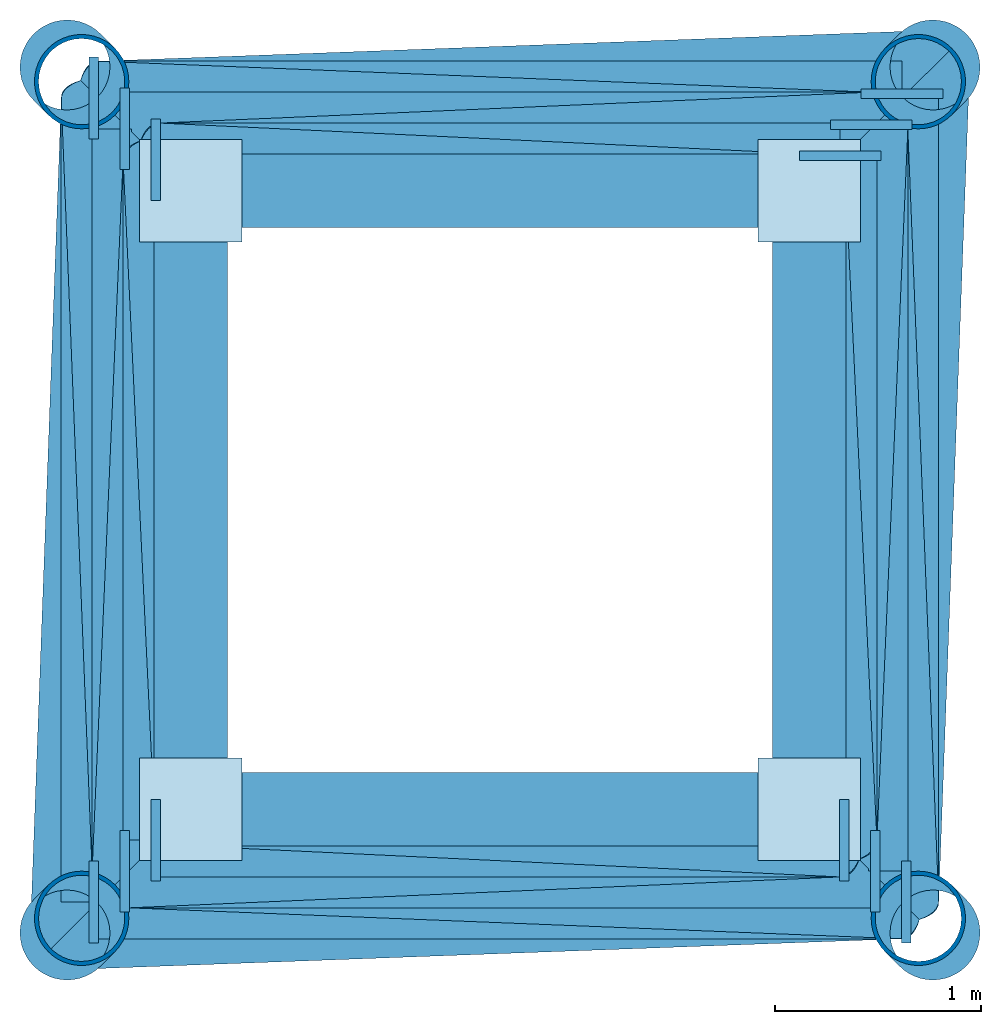
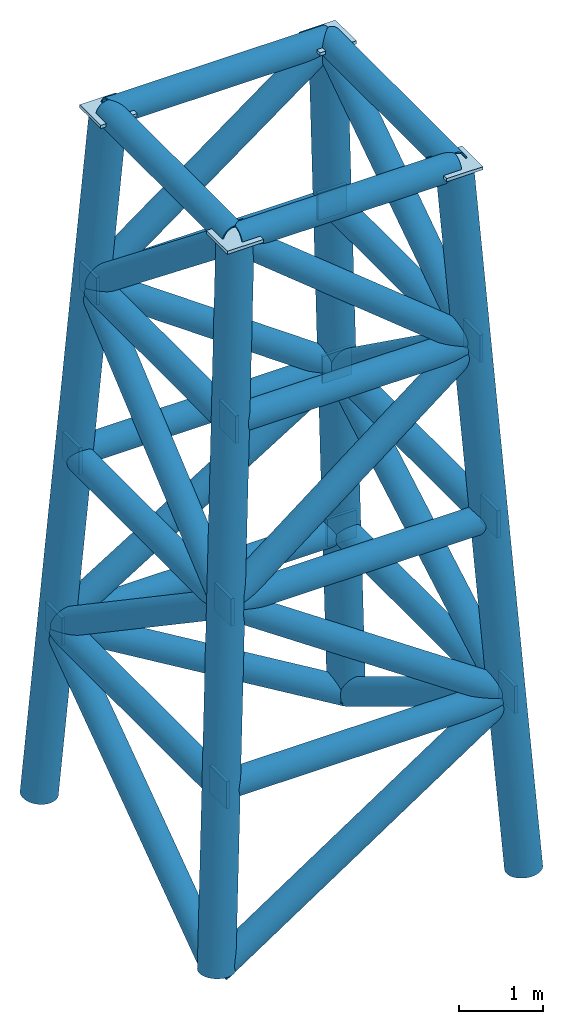
# One storey: 16 beams, 16 members, 16 plates, 4 columns.
"""IFC4 building model written with IfcOpenShell, lengths in metres."""

from ifc_helpers import new_model, si_unit, direction, frame, origin, origin_2d, place, context, subcontext, project, spatial, rectangle, hollow_circle, extrude, material, layer, layer_set, material_profile, profile_set, type_object, element, save


model = new_model("IFC4")

# Units and contexts
model_context = context("Model", 3, precision=1e-05, world=origin(), true_north=direction((0.0, 1.0)))
body_context = subcontext(model_context, "Body", "Model", "MODEL_VIEW")
ifc_project = project(units=[si_unit("LENGTHUNIT", "METRE"), si_unit("AREAUNIT", "SQUARE_METRE"), si_unit("VOLUMEUNIT", "CUBIC_METRE"), si_unit("PLANEANGLEUNIT", "RADIAN"), si_unit("MASSUNIT", "GRAM", prefix="KILO")], contexts=[model_context])

# Site, building, storey
site_placement = place(None, origin())
site = spatial("IfcSite", under=ifc_project, at=site_placement, CompositionType="ELEMENT")
building_placement = place(site_placement, origin())
building = spatial("IfcBuilding", under=site, at=building_placement, Name="Cobrela Telecom Tower", CompositionType="ELEMENT")
storey_placement = place(building_placement, frame((0.0, 0.0, 315.199951171875)))
storey = spatial("IfcBuildingStorey", under=building, at=storey_placement, Name="RF-M1", CompositionType="ELEMENT", Elevation=315.199951171875)

# Columns
ifc_material = material(Name="Steel ASTM A572 Grade 50", Category="steel")
ifc_material_profile_1 = material_profile(ifc_material, hollow_circle(Radius=0.228515625, WallThickness=0.02001953125, at=origin_2d()), Name="CHS 457x20")
ifc_profile_set_1 = profile_set([ifc_material_profile_1], Name="Steel ASTM A572 Grade 50")
column_type = type_object("IfcColumnType", Name="COL-MAST-HI", PredefinedType="COLUMN", material=ifc_profile_set_1)
for number, where, z_axis, x_axis, name in (
    (1, (5.10009765625, 19.5, 0.0), (0.059770580836, 0.059794907486, 0.99641961377), (-0.707250633645, 0.706962899457, 0.0), "RF-M1 Broadcast Lattice Mast Leg 1"),
    (2, (9.300048828125, 19.5, 0.0), (-0.059794820526, 0.059794820526, 0.996418164666), (-0.707106781187, -0.707106781187, 0.0), "RF-M1 Broadcast Lattice Mast Leg 2"),
    (3, (9.300048828125, 23.699951171875, 0.0), (-0.059794907486, -0.059770580836, 0.99641961377), (0.706962899457, -0.707250633645, 0.0), "RF-M1 Broadcast Lattice Mast Leg 3"),
    (4, (5.10009765625, 23.699951171875, 0.0), (0.059770667761, -0.059770667761, 0.99642106288), (0.707106781187, 0.707106781187, 0.0), "RF-M1 Broadcast Lattice Mast Leg 4"),
):
    element("IfcColumn", number, at=place(storey_placement, frame(where, z_axis=z_axis, x_axis=x_axis)), inside=storey, type_object=column_type, Name=name, PredefinedType="COLUMN", context=body_context, shape_type="SweptSolid", body=[
        extrude(hollow_circle(Radius=0.228515625, WallThickness=0.02001953125, at=origin_2d()), origin(), (0.0, 0.0, 1.0), 10.035888671875),
    ])

# Beams
ifc_material_profile_2 = material_profile(ifc_material, hollow_circle(Radius=0.177978515625, WallThickness=0.01611328125, at=origin_2d()), Name="CHS 356x16")
ifc_profile_set_2 = profile_set([ifc_material_profile_2], Name="Steel ASTM A572 Grade 50")
beam_type = type_object("IfcBeamType", Name="BM-MAST-RING", PredefinedType="BEAM", material=ifc_profile_set_2)
beam_1_placement = place(storey_placement, frame((5.25, 19.64990234375, 2.5), z_axis=(1.0, 0.0, 0.0), x_axis=(0.0, 1.0, 0.0)))
element("IfcBeam", 5, at=beam_1_placement, inside=storey, type_object=beam_type, Name="RF-M1 Broadcast Lattice Mast Ring 1.1", PredefinedType="BEAM", context=body_context, shape_type="SweptSolid", body=[
    extrude(hollow_circle(Radius=0.177978515625, WallThickness=0.01611328125, at=origin_2d()), origin(), (0.0, 0.0, 1.0), 3.89990234375),
])
beam_2_placement = place(storey_placement, frame((9.14990234375, 19.64990234375, 2.5), z_axis=(0.0, 1.0, 0.0), x_axis=(-1.0, 0.0, 0.0)))
element("IfcBeam", 6, at=beam_2_placement, inside=storey, type_object=beam_type, Name="RF-M1 Broadcast Lattice Mast Ring 1.2", PredefinedType="BEAM", context=body_context, shape_type="SweptSolid", body=[
    extrude(hollow_circle(Radius=0.177978515625, WallThickness=0.01611328125, at=origin_2d()), origin(), (0.0, 0.0, 1.0), 3.900146484375),
])
beam_3_placement = place(storey_placement, frame((9.14990234375, 23.550048828125, 2.5), z_axis=(-1.0, 0.0, 0.0), x_axis=(0.0, -1.0, 0.0)))
element("IfcBeam", 7, at=beam_3_placement, inside=storey, type_object=beam_type, Name="RF-M1 Broadcast Lattice Mast Ring 1.3", PredefinedType="BEAM", context=body_context, shape_type="SweptSolid", body=[
    extrude(hollow_circle(Radius=0.177978515625, WallThickness=0.01611328125, at=origin_2d()), origin(), (0.0, 0.0, 1.0), 3.89990234375),
])
beam_4_placement = place(storey_placement, frame((5.25, 23.550048828125, 2.5), z_axis=(0.0, -1.0, 0.0), x_axis=(1.0, 0.0, 0.0)))
element("IfcBeam", 8, at=beam_4_placement, inside=storey, type_object=beam_type, Name="RF-M1 Broadcast Lattice Mast Ring 1.4", PredefinedType="BEAM", context=body_context, shape_type="SweptSolid", body=[
    extrude(hollow_circle(Radius=0.177978515625, WallThickness=0.01611328125, at=origin_2d()), origin(), (0.0, 0.0, 1.0), 3.900146484375),
])
beam_5_placement = place(storey_placement, frame((5.39990234375, 19.800048828125, 5.0), z_axis=(1.0, 0.0, 0.0), x_axis=(0.0, 1.0, 0.0)))
element("IfcBeam", 9, at=beam_5_placement, inside=storey, type_object=beam_type, Name="RF-M1 Broadcast Lattice Mast Ring 2.1", PredefinedType="BEAM", context=body_context, shape_type="SweptSolid", body=[
    extrude(hollow_circle(Radius=0.177978515625, WallThickness=0.01611328125, at=origin_2d()), origin(), (0.0, 0.0, 1.0), 3.60009765625),
])
beam_6_placement = place(storey_placement, frame((9.0, 19.800048828125, 5.0), z_axis=(0.0, 1.0, 0.0), x_axis=(-1.0, 0.0, 0.0)))
element("IfcBeam", 10, at=beam_6_placement, inside=storey, type_object=beam_type, Name="RF-M1 Broadcast Lattice Mast Ring 2.2", PredefinedType="BEAM", context=body_context, shape_type="SweptSolid", body=[
    extrude(hollow_circle(Radius=0.177978515625, WallThickness=0.01611328125, at=origin_2d()), origin(), (0.0, 0.0, 1.0), 3.599853515625),
])
beam_7_placement = place(storey_placement, frame((9.0, 23.39990234375, 5.0), z_axis=(-1.0, 0.0, 0.0), x_axis=(0.0, -1.0, 0.0)))
element("IfcBeam", 11, at=beam_7_placement, inside=storey, type_object=beam_type, Name="RF-M1 Broadcast Lattice Mast Ring 2.3", PredefinedType="BEAM", context=body_context, shape_type="SweptSolid", body=[
    extrude(hollow_circle(Radius=0.177978515625, WallThickness=0.01611328125, at=origin_2d()), origin(), (0.0, 0.0, 1.0), 3.60009765625),
])
beam_8_placement = place(storey_placement, frame((5.39990234375, 23.39990234375, 5.0), z_axis=(0.0, -1.0, 0.0), x_axis=(1.0, 0.0, 0.0)))
element("IfcBeam", 12, at=beam_8_placement, inside=storey, type_object=beam_type, Name="RF-M1 Broadcast Lattice Mast Ring 2.4", PredefinedType="BEAM", context=body_context, shape_type="SweptSolid", body=[
    extrude(hollow_circle(Radius=0.177978515625, WallThickness=0.01611328125, at=origin_2d()), origin(), (0.0, 0.0, 1.0), 3.599853515625),
])
for number, where, z_axis, x_axis, name in (
    (13, (5.550048828125, 19.949951171875, 7.5), (1.0, 0.0, 0.0), (0.0, 1.0, 0.0), "RF-M1 Broadcast Lattice Mast Ring 3.1"),
    (14, (8.85009765625, 19.949951171875, 7.5), (0.0, 1.0, 0.0), (-1.0, 0.0, 0.0), "RF-M1 Broadcast Lattice Mast Ring 3.2"),
    (15, (8.85009765625, 23.25, 7.5), (-1.0, 0.0, 0.0), (0.0, -1.0, 0.0), "RF-M1 Broadcast Lattice Mast Ring 3.3"),
    (16, (5.550048828125, 23.25, 7.5), (0.0, -1.0, 0.0), (1.0, 0.0, 0.0), "RF-M1 Broadcast Lattice Mast Ring 3.4"),
):
    element("IfcBeam", number, at=place(storey_placement, frame(where, z_axis=z_axis, x_axis=x_axis)), inside=storey, type_object=beam_type, Name=name, PredefinedType="BEAM", context=body_context, shape_type="SweptSolid", body=[
        extrude(hollow_circle(Radius=0.177978515625, WallThickness=0.01611328125, at=origin_2d()), origin(), (0.0, 0.0, 1.0), 3.300048828125),
    ])
for number, where, z_axis, x_axis, name in (
    (17, (5.699951171875, 20.10009765625, 10.0), (1.0, 0.0, 0.0), (0.0, 1.0, 0.0), "RF-M1 Broadcast Lattice Mast Ring 4.1"),
    (18, (8.699951171875, 20.10009765625, 10.0), (0.0, 1.0, 0.0), (-1.0, 0.0, 0.0), "RF-M1 Broadcast Lattice Mast Ring 4.2"),
    (19, (8.699951171875, 23.10009765625, 10.0), (-1.0, 0.0, 0.0), (0.0, -1.0, 0.0), "RF-M1 Broadcast Lattice Mast Ring 4.3"),
    (20, (5.699951171875, 23.10009765625, 10.0), (0.0, -1.0, 0.0), (1.0, 0.0, 0.0), "RF-M1 Broadcast Lattice Mast Ring 4.4"),
):
    element("IfcBeam", number, at=place(storey_placement, frame(where, z_axis=z_axis, x_axis=x_axis)), inside=storey, type_object=beam_type, Name=name, PredefinedType="BEAM", context=body_context, shape_type="SweptSolid", body=[
        extrude(hollow_circle(Radius=0.177978515625, WallThickness=0.01611328125, at=origin_2d()), origin(), (0.0, 0.0, 1.0), 3.0),
    ])

# Members
ifc_material_profile_3 = material_profile(ifc_material, hollow_circle(Radius=0.177978515625, WallThickness=0.01611328125, at=origin_2d()), Name="CHS 356x16")
ifc_profile_set_3 = profile_set([ifc_material_profile_3], Name="Steel ASTM A572 Grade 50")
member_type = type_object("IfcMemberType", Name="MBR-MAST-BRC", PredefinedType="BRACE", material=ifc_profile_set_3)
member_1_placement = place(storey_placement, frame((5.10009765625, 19.5, 0.0), z_axis=(0.850503023485, 0.031481122282, 0.525027185947), x_axis=(-0.036989378737, 0.999315658769, 0.0)))
element("IfcMember", 21, at=member_1_placement, inside=storey, type_object=member_type, Name="RF-M1 Broadcast Lattice Mast Brace 1.1", PredefinedType="BRACE", context=body_context, shape_type="SweptSolid", body=[
    extrude(hollow_circle(Radius=0.177978515625, WallThickness=0.01611328125, at=origin_2d()), origin(), (0.0, 0.0, 1.0), 4.76171875),
])
for number, where, z_axis, x_axis, name in (
    (22, (9.300048828125, 23.699951171875, 0.0), (-0.031530968548, -0.850515832911, 0.525003443789), (0.999313512813, -0.037047309083, 0.0), "RF-M1 Broadcast Lattice Mast Brace 1.2"),
    (23, (9.300048828125, 23.699951171875, 0.0), (-0.850517206731, -0.031479749529, 0.525004291815), (0.036987152034, -0.999315741187, 0.0), "RF-M1 Broadcast Lattice Mast Brace 1.3"),
    (24, (5.10009765625, 19.5, 0.0), (0.031479749529, 0.850517206731, 0.525004291815), (-0.999315741187, 0.036987152034, 0.0), "RF-M1 Broadcast Lattice Mast Brace 1.4"),
):
    element("IfcMember", number, at=place(storey_placement, frame(where, z_axis=z_axis, x_axis=x_axis)), inside=storey, type_object=member_type, Name=name, PredefinedType="BRACE", context=body_context, shape_type="SweptSolid", body=[
        extrude(hollow_circle(Radius=0.177978515625, WallThickness=0.01611328125, at=origin_2d()), origin(), (0.0, 0.0, 1.0), 4.761962890625),
    ])
for number, where, z_axis, x_axis, name in (
    (25, (9.14990234375, 19.64990234375, 2.5), (-0.831588949973, 0.033296041942, 0.554392633315), (-0.040007007195, -0.999199399207, 0.0), "RF-M1 Broadcast Lattice Mast Brace 2.1"),
    (26, (9.14990234375, 19.64990234375, 2.5), (-0.033241961911, 0.831590447817, 0.554393631878), (-0.999201997557, -0.039942059017, 0.0), "RF-M1 Broadcast Lattice Mast Brace 2.2"),
    (27, (5.25, 23.550048828125, 2.5), (0.831588949973, -0.033296041942, 0.554392633315), (0.040007007195, 0.999199399207, 0.0), "RF-M1 Broadcast Lattice Mast Brace 2.3"),
    (28, (5.25, 23.550048828125, 2.5), (0.033241961911, -0.831590447817, 0.554393631878), (0.999201997557, 0.039942059017, 0.0), "RF-M1 Broadcast Lattice Mast Brace 2.4"),
):
    element("IfcMember", number, at=place(storey_placement, frame(where, z_axis=z_axis, x_axis=x_axis)), inside=storey, type_object=member_type, Name=name, PredefinedType="BRACE", context=body_context, shape_type="SweptSolid", body=[
        extrude(hollow_circle(Radius=0.177978515625, WallThickness=0.01611328125, at=origin_2d()), origin(), (0.0, 0.0, 1.0), 4.509521484375),
    ])
member_2_placement = place(storey_placement, frame((5.39990234375, 19.800048828125, 5.0), z_axis=(0.809264928976, 0.035160533993, 0.586390664642), x_axis=(-0.043406545424, 0.999057491746, 0.0)))
element("IfcMember", 29, at=member_2_placement, inside=storey, type_object=member_type, Name="RF-M1 Broadcast Lattice Mast Brace 3.1", PredefinedType="BRACE", context=body_context, shape_type="SweptSolid", body=[
    extrude(hollow_circle(Radius=0.177978515625, WallThickness=0.01611328125, at=origin_2d()), origin(), (0.0, 0.0, 1.0), 4.263427734375),
])
for number, where, z_axis, x_axis, name in (
    (30, (9.0, 23.39990234375, 5.0), (-0.03516216347, -0.809245166107, 0.586417840275), (0.999057358534, -0.043409611361, 0.0), "RF-M1 Broadcast Lattice Mast Brace 3.2"),
    (31, (9.0, 23.39990234375, 5.0), (-0.809245166107, -0.03516216347, 0.586417840275), (0.043409611361, -0.999057358534, 0.0), "RF-M1 Broadcast Lattice Mast Brace 3.3"),
    (32, (5.39990234375, 19.800048828125, 5.0), (0.03521935986, 0.809243535252, 0.58641665848), (-0.999054289898, 0.043480177502, 0.0), "RF-M1 Broadcast Lattice Mast Brace 3.4"),
):
    element("IfcMember", number, at=place(storey_placement, frame(where, z_axis=z_axis, x_axis=x_axis)), inside=storey, type_object=member_type, Name=name, PredefinedType="BRACE", context=body_context, shape_type="SweptSolid", body=[
        extrude(hollow_circle(Radius=0.177978515625, WallThickness=0.01611328125, at=origin_2d()), origin(), (0.0, 0.0, 1.0), 4.26318359375),
    ])
for number, where, z_axis, x_axis, name in (
    (33, (8.85009765625, 19.949951171875, 7.5), (-0.782757630394, 0.037308838463, 0.621207326609), (-0.047609285557, -0.998866035026, 0.0), "RF-M1 Broadcast Lattice Mast Brace 4.1"),
    (34, (8.85009765625, 19.949951171875, 7.5), (-0.037308838463, 0.782757630394, 0.621207326609), (-0.998866035026, -0.047609285557, 0.0), "RF-M1 Broadcast Lattice Mast Brace 4.2"),
):
    element("IfcMember", number, at=place(storey_placement, frame(where, z_axis=z_axis, x_axis=x_axis)), inside=storey, type_object=member_type, Name=name, PredefinedType="BRACE", context=body_context, shape_type="SweptSolid", body=[
        extrude(hollow_circle(Radius=0.177978515625, WallThickness=0.01611328125, at=origin_2d()), origin(), (0.0, 0.0, 1.0), 4.0244140625),
    ])
for number, where, z_axis, x_axis, name in (
    (35, (5.550048828125, 23.25, 7.5), (0.78273590415, -0.037250026752, 0.621238231165), (0.047535722886, 0.998869538553, 0.0), "RF-M1 Broadcast Lattice Mast Brace 4.3"),
    (36, (5.550048828125, 23.25, 7.5), (0.037250026752, -0.78273590415, 0.621238231165), (0.998869538553, 0.047535722886, 0.0), "RF-M1 Broadcast Lattice Mast Brace 4.4"),
):
    element("IfcMember", number, at=place(storey_placement, frame(where, z_axis=z_axis, x_axis=x_axis)), inside=storey, type_object=member_type, Name=name, PredefinedType="BRACE", context=body_context, shape_type="SweptSolid", body=[
        extrude(hollow_circle(Radius=0.177978515625, WallThickness=0.01611328125, at=origin_2d()), origin(), (0.0, 0.0, 1.0), 4.024169921875),
    ])

# Plates
ifc_layer = layer(ifc_material, 0.0458984375)
ifc_layer_set = layer_set([ifc_layer], Name="Steel ASTM A572 Grade 50")
plate_type = type_object("IfcPlateType", Name="PLT-NODE-ND13", PredefinedType="USERDEFINED", material=ifc_layer_set)
for number, where, z_axis, x_axis, name in (
    (37, (5.699951171875, 20.10009765625, 9.99755859375), (0.0, 0.0, 1.0), (1.0, 0.0, 0.0), "Steel node plate PLT-COL-MAST-RF-M1-L1-1"),
    (38, (8.699951171875, 20.10009765625, 9.99755859375), (0.0, 0.0, 1.0), (1.0, 0.0, 0.0), "Steel node plate PLT-COL-MAST-RF-M1-L2-1"),
    (39, (8.699951171875, 23.10009765625, 9.99755859375), (0.0, 0.0, 1.0), (1.0, 0.0, 0.0), "Steel node plate PLT-COL-MAST-RF-M1-L3-1"),
    (40, (5.699951171875, 23.10009765625, 9.99755859375), (0.0, 0.0, 1.0), (1.0, 0.0, 0.0), "Steel node plate PLT-COL-MAST-RF-M1-L4-1"),
):
    element("IfcPlate", number, at=place(storey_placement, frame(where, z_axis=z_axis, x_axis=x_axis)), inside=storey, type_object=plate_type, Name=name, ObjectType="GUSSET PLATE", PredefinedType="USERDEFINED", context=body_context, shape_type="SweptSolid", body=[
        extrude(rectangle(XDim=0.4970703125, YDim=0.4970703125, at=origin_2d()), origin(), (0.0, 0.0, 1.0), 0.044921875),
    ])
for number, where, z_axis, x_axis, name in (
    (41, (5.22998046875, 19.64990234375, 2.302001953125), (0.0, 0.0, 1.0), (1.0, 0.0, 0.0), "Steel node plate PLT-BM-MAST-RF-M1-R1-1-0"),
    (42, (9.169921875, 19.64990234375, 2.302001953125), (0.0, 0.0, 1.0), (1.0, 0.0, 0.0), "Steel node plate PLT-BM-MAST-RF-M1-R1-1-1"),
    (43, (9.14990234375, 23.570068359375, 2.302001953125), (0.0, 0.0, 1.0), (0.0, 1.0, 0.0), "Steel node plate PLT-BM-MAST-RF-M1-R1-2-1"),
    (44, (5.22998046875, 23.550048828125, 2.302001953125), (0.0, 0.0, 1.0), (-1.0, 0.0, 0.0), "Steel node plate PLT-BM-MAST-RF-M1-R1-3-1"),
    (45, (5.3798828125, 19.800048828125, 4.802001953125), (0.0, 0.0, 1.0), (1.0, 0.0, 0.0), "Steel node plate PLT-BM-MAST-RF-M1-R2-1-0"),
    (46, (9.02001953125, 19.800048828125, 4.802001953125), (0.0, 0.0, 1.0), (1.0, 0.0, 0.0), "Steel node plate PLT-BM-MAST-RF-M1-R2-1-1"),
    (47, (9.0, 23.419921875, 4.802001953125), (0.0, 0.0, 1.0), (0.0, 1.0, 0.0), "Steel node plate PLT-BM-MAST-RF-M1-R2-2-1"),
    (48, (5.3798828125, 23.39990234375, 4.802001953125), (0.0, 0.0, 1.0), (-1.0, 0.0, 0.0), "Steel node plate PLT-BM-MAST-RF-M1-R2-3-1"),
    (49, (5.530029296875, 19.949951171875, 7.302001953125), (0.0, 0.0, 1.0), (1.0, 0.0, 0.0), "Steel node plate PLT-BM-MAST-RF-M1-R3-1-0"),
    (50, (8.8701171875, 19.949951171875, 7.302001953125), (0.0, 0.0, 1.0), (1.0, 0.0, 0.0), "Steel node plate PLT-BM-MAST-RF-M1-R3-1-1"),
    (51, (8.85009765625, 23.27001953125, 7.302001953125), (0.0, 0.0, 1.0), (0.0, 1.0, 0.0), "Steel node plate PLT-BM-MAST-RF-M1-R3-2-1"),
    (52, (5.530029296875, 23.25, 7.302001953125), (0.0, 0.0, 1.0), (-1.0, 0.0, 0.0), "Steel node plate PLT-BM-MAST-RF-M1-R3-3-1"),
):
    element("IfcPlate", number, at=place(storey_placement, frame(where, z_axis=z_axis, x_axis=x_axis)), inside=storey, type_object=plate_type, Name=name, ObjectType="GUSSET PLATE", PredefinedType="USERDEFINED", context=body_context, shape_type="SweptSolid", body=[
        extrude(rectangle(XDim=0.044921875, YDim=0.39599609375, at=origin_2d()), origin(), (0.0, 0.0, 1.0), 0.39599609375),
    ])

save(model, "model.ifc")
